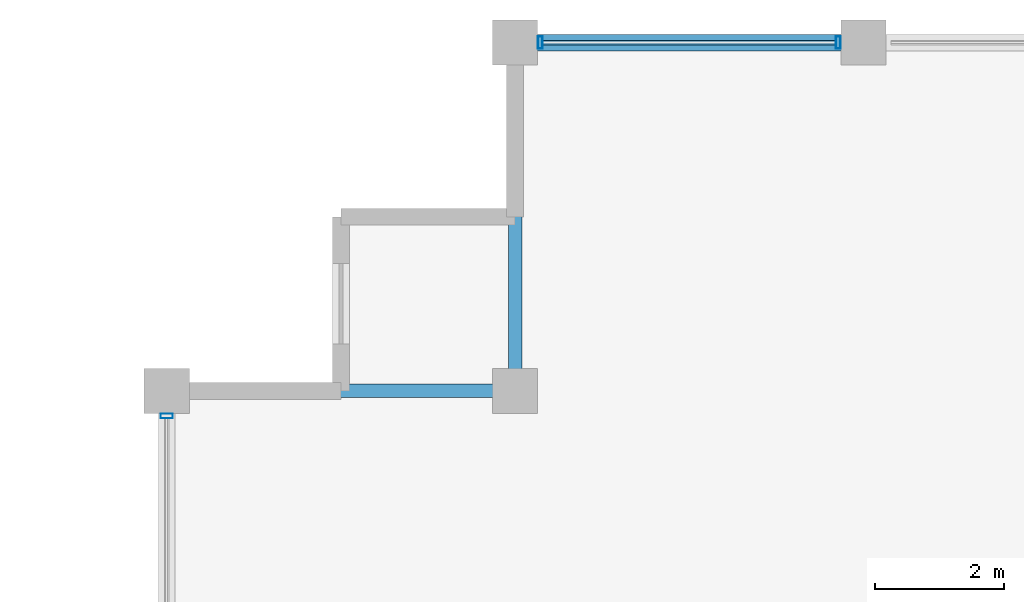
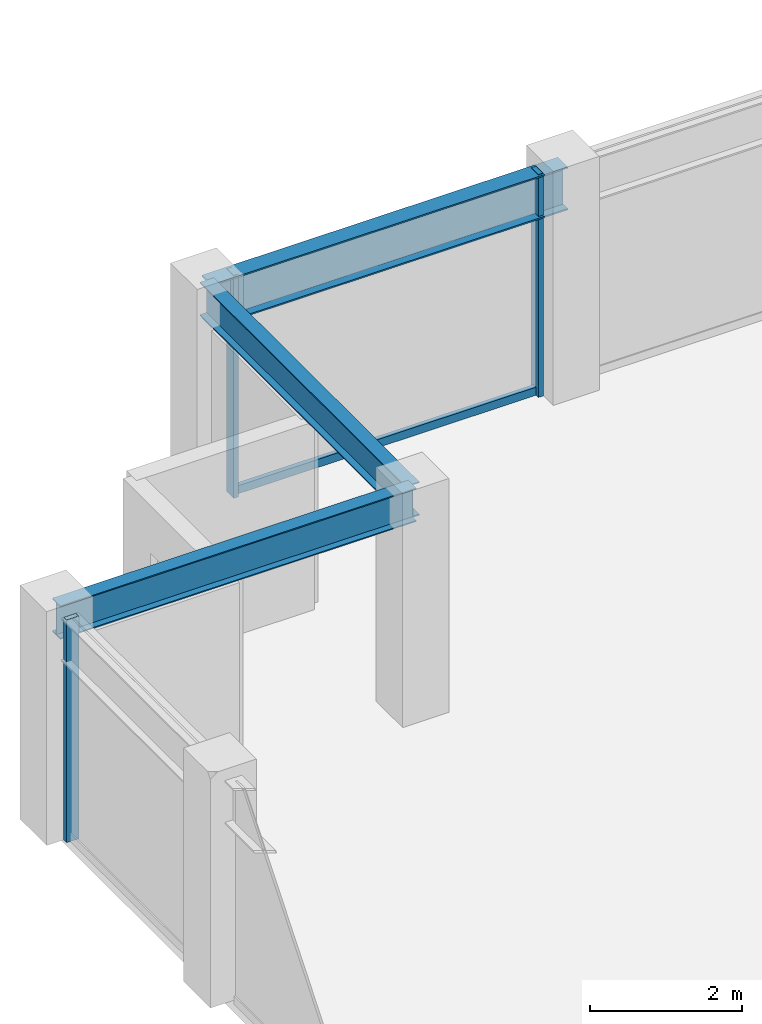
# One storey, part 15 of 31: 4 members, 3 beams, 2 elements without a shape of their own.
"""IFC4 building model written with IfcOpenShell, lengths in metres."""

from ifc_helpers import new_model, si_unit, direction, frame, origin, origin_2d, place, context, subcontext, project, spatial, hollow_rectangle, i_section, extrude, material, layer, layer_set, material_profile, profile_set, type_object, element, aggregate, save


model = new_model("IFC4")

# Units and contexts
model_context = context("Model", 3, precision=1e-05, world=origin(), true_north=direction((0.0, 1.0)))
body_context = subcontext(model_context, "Body", "Model", "MODEL_VIEW")
ifc_project = project(units=[si_unit("LENGTHUNIT", "METRE"), si_unit("AREAUNIT", "SQUARE_METRE"), si_unit("VOLUMEUNIT", "CUBIC_METRE"), si_unit("PLANEANGLEUNIT", "RADIAN"), si_unit("MASSUNIT", "GRAM", prefix="KILO")], contexts=[model_context])

# Site, building, storey
site_placement = place(None, origin())
site = spatial("IfcSite", under=ifc_project, at=site_placement, CompositionType="ELEMENT")
building_placement = place(site_placement, origin())
building = spatial("IfcBuilding", under=site, at=building_placement, Name="Surkhivell Harbour Commons", CompositionType="ELEMENT")
storey_placement = place(building_placement, frame((0.0, 0.0, 266.25)))
storey = spatial("IfcBuildingStorey", under=building, at=storey_placement, Name="L69", CompositionType="ELEMENT", Elevation=266.25)

# Beams
ifc_material_1 = material(Name="Steel S355", Category="steel")
ifc_material_profile_1 = material_profile(ifc_material_1, i_section(OverallWidth=0.2099609375, OverallDepth=0.537109375, WebThickness=0.0107421875, FlangeThickness=0.017333984375, at=origin_2d()), Name="UB533x210x101")
ifc_profile_set_1 = profile_set([ifc_material_profile_1], Name="Steel S355")
beam_type_1 = type_object("IfcBeamType", Name="BM-GRD-533B", PredefinedType="BEAM", material=ifc_profile_set_1)
for number, where, z_axis, x_axis, name in (
    (1, (-27.0, 20.5, 3.301513671875), (1.0, 0.0, 0.0), (0.0, 1.0, 0.0), "L69 Floor Girder (-27.0,20.5)"),
    (2, (-21.60009765625, 20.5, 3.301513671875), (0.0, 1.0, 0.0), (-1.0, 0.0, 0.0), "L69 Floor Girder (-21.6,20.5)"),
):
    element("IfcBeam", number, at=place(storey_placement, frame(where, z_axis=z_axis, x_axis=x_axis)), inside=storey, type_object=beam_type_1, Name=name, PredefinedType="BEAM", context=body_context, shape_type="SweptSolid", body=[
        extrude(i_section(OverallWidth=0.2099609375, OverallDepth=0.537109375, WebThickness=0.0107421875, FlangeThickness=0.017333984375, at=origin_2d()), origin(), (0.0, 0.0, 1.0), 5.39990234375),
    ])
ifc_material_profile_2 = material_profile(ifc_material_1, i_section(OverallWidth=0.256103515625, OverallDepth=0.693115234375, WebThickness=0.014404296875, FlangeThickness=0.023681640625, at=origin_2d()), Name="UB686x254x170")
ifc_profile_set_2 = profile_set([ifc_material_profile_2], Name="Steel S355")
beam_type_2 = type_object("IfcBeamType", Name="BM-SPN-686", PredefinedType="SPANDREL", material=ifc_profile_set_2)
beam_placement = place(storey_placement, frame((-21.60009765625, 25.89990234375, 3.223388671875), z_axis=(1.0, 0.0, 0.0), x_axis=(0.0, 1.0, 0.0)))
element("IfcBeam", 3, at=beam_placement, inside=storey, type_object=beam_type_2, Name="L69 Tube Spandrel (-21.6,25.9)", PredefinedType="SPANDREL", context=body_context, shape_type="SweptSolid", body=[
    extrude(i_section(OverallWidth=0.256103515625, OverallDepth=0.693115234375, WebThickness=0.014404296875, FlangeThickness=0.023681640625, at=origin_2d()), origin(), (0.0, 0.0, 1.0), 5.400146484375),
])

# Curtain wall, members
ifc_material_2 = material(Name="Anodised pale-metal aluminium and insulated glazing", Category="aluminium")
ifc_layer = layer(ifc_material_2, 0.175048828125)
ifc_layer_set = layer_set([ifc_layer], Name="Anodised pale-metal aluminium and insulated glazing")
curtain_wall_type = type_object("IfcCurtainWallType", Name="CW-SYS-Z4", PredefinedType="NOTDEFINED", material=ifc_layer_set)
curtain_wall_1_placement = place(storey_placement, origin())
curtain_wall_1 = element("IfcCurtainWall", 4, at=curtain_wall_1_placement, inside=storey, type_object=curtain_wall_type, Name="L69 Curtain Wall CW-L69-E07S2", PredefinedType="NOTDEFINED")
ifc_material_3 = material(Name="Anodised pale-metal aluminium alloy 6063-T6", Category="aluminium")
ifc_material_profile_3 = material_profile(ifc_material_3, hollow_rectangle(XDim=0.074951171875, YDim=0.18994140625, WallThickness=0.00390625, at=origin_2d()), Name="ALU-MULL-75x190")
ifc_profile_set_3 = profile_set([ifc_material_profile_3], Name="Anodised pale-metal aluminium alloy 6063-T6")
member_type_1 = type_object("IfcMemberType", Name="CWM-190", PredefinedType="MULLION", material=ifc_profile_set_3)
member_1_placement = place(storey_placement, frame((-16.589599609375, 25.89990234375, 0.0), z_axis=(0.0, 0.0, 1.0), x_axis=(-1.0, 0.0, 0.0)))
member_1 = element("IfcMember", 5, at=member_1_placement, type_object=member_type_1, Name="CW-Z4 mullion 3", PredefinedType="MULLION", context=body_context, shape_type="SweptSolid", body=[
    extrude(hollow_rectangle(XDim=0.074951171875, YDim=0.18994140625, WallThickness=0.00390625, at=origin_2d()), origin(), (0.0, 0.0, 1.0), 3.570068359375),
])
member_2_placement = place(storey_placement, frame((-21.21044921875, 25.89990234375, 0.0), z_axis=(0.0, 0.0, 1.0), x_axis=(-1.0, 0.0, 0.0)))
member_2 = element("IfcMember", 6, at=member_2_placement, type_object=member_type_1, Name="CW-Z4 mullion 4", PredefinedType="MULLION", context=body_context, shape_type="SweptSolid", body=[
    extrude(hollow_rectangle(XDim=0.074951171875, YDim=0.18994140625, WallThickness=0.00390625, at=origin_2d()), origin(), (0.0, 0.0, 1.0), 3.570068359375),
])

# Curtain wall, member
curtain_wall_2_placement = place(storey_placement, origin())
curtain_wall_2 = element("IfcCurtainWall", 7, at=curtain_wall_2_placement, inside=storey, type_object=curtain_wall_type, Name="L69 Curtain Wall CW-L69-E12R2", PredefinedType="NOTDEFINED")
member_3_placement = place(storey_placement, frame((-27.0, 20.110595703125, 0.0), z_axis=(0.0, 0.0, 1.0), x_axis=(0.0, 1.0, 0.0)))
member_3 = element("IfcMember", 8, at=member_3_placement, type_object=member_type_1, Name="CW-Z4 mullion 3", PredefinedType="MULLION", context=body_context, shape_type="SweptSolid", body=[
    extrude(hollow_rectangle(XDim=0.074951171875, YDim=0.18994140625, WallThickness=0.00390625, at=origin_2d()), origin(), (0.0, 0.0, 1.0), 3.570068359375),
])
aggregate(curtain_wall_2, [member_3])

# Member
ifc_material_4 = material(Name="Champagne anodised aluminium alloy 6063-T6", Category="aluminium")
ifc_material_profile_4 = material_profile(ifc_material_4, hollow_rectangle(XDim=0.070068359375, YDim=0.1298828125, WallThickness=0.00341796875, at=origin_2d()), Name="ALU-TRAN-70x130")
ifc_profile_set_4 = profile_set([ifc_material_profile_4], Name="Champagne anodised aluminium alloy 6063-T6")
member_type_2 = type_object("IfcMemberType", Name="CWT-130", PredefinedType="USERDEFINED", material=ifc_profile_set_4)
member_4_placement = place(storey_placement, frame((-16.626953125, 25.89990234375, 0.06494140625), z_axis=(-1.0, 0.0, 0.0), x_axis=(0.0, -1.0, 0.0)))
member_4 = element("IfcMember", 9, at=member_4_placement, type_object=member_type_2, Name="CW-Z4 transom 3.1", ObjectType="TRANSOM", PredefinedType="USERDEFINED", context=body_context, shape_type="SweptSolid", body=[
    extrude(hollow_rectangle(XDim=0.070068359375, YDim=0.1298828125, WallThickness=0.00341796875, at=origin_2d()), origin(), (0.0, 0.0, 1.0), 4.546142578125),
])

aggregate(curtain_wall_1, [member_1, member_2, member_4])

save(model, "model.ifc")
